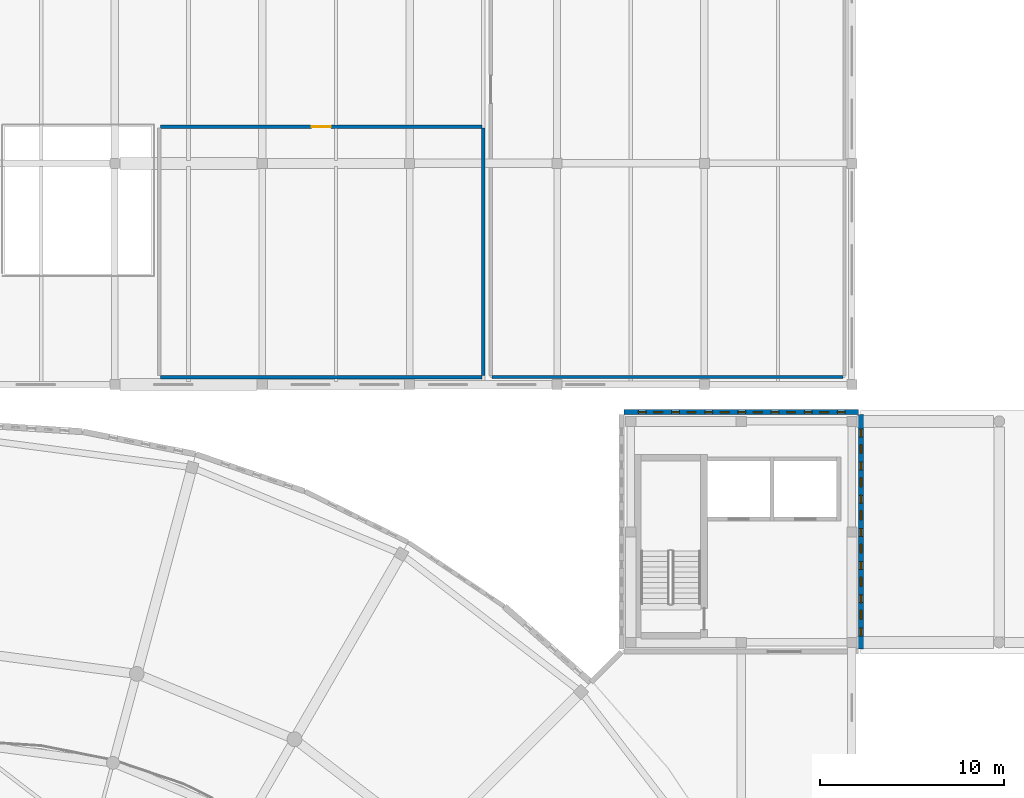
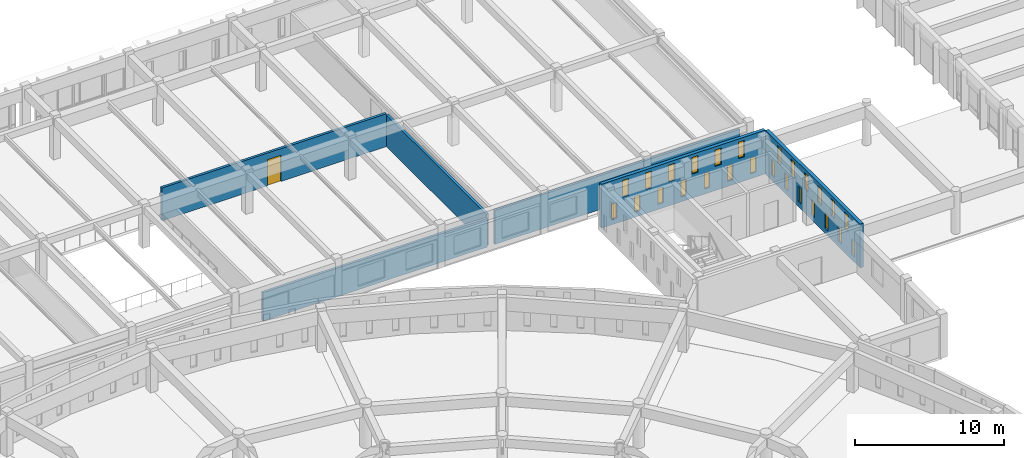
# One storey, part 121 of 155: 26 windows, 6 walls, 1 door, 27 openings.
"""IFC4 building model written with IfcOpenShell, lengths in metres."""

from ifc_helpers import new_model, si_unit, direction, frame, frame_2d, origin, place, context, subcontext, project, spatial, rectangle, extrude, material, layer, layer_set, type_object, element, fill, save


model = new_model("IFC4")

# Units and contexts
model_context = context("Model", 3, precision=1e-05, world=origin(), true_north=direction((0.0, 1.0)))
body_context = subcontext(model_context, "Body", "Model", "MODEL_VIEW")
ifc_project = project(units=[si_unit("LENGTHUNIT", "METRE"), si_unit("AREAUNIT", "SQUARE_METRE"), si_unit("VOLUMEUNIT", "CUBIC_METRE"), si_unit("PLANEANGLEUNIT", "RADIAN"), si_unit("MASSUNIT", "GRAM", prefix="KILO")], contexts=[model_context])

# Site, building, storey
site_placement = place(None, origin())
site = spatial("IfcSite", under=ifc_project, at=site_placement, CompositionType="ELEMENT")
building_placement = place(site_placement, origin())
building = spatial("IfcBuilding", under=site, at=building_placement, Name="Larkveld Mobility Hub", CompositionType="ELEMENT")
storey_placement = place(building_placement, frame((0.0, 0.0, 8.39990234375)))
storey = spatial("IfcBuildingStorey", under=building, at=storey_placement, Name="L02", CompositionType="ELEMENT", Elevation=8.39990234375)

# Wall, openings, windows
ifc_material_1 = material(Name="Fired clay brick 25 MPa", Category="masonry")
ifc_layer_1 = layer(ifc_material_1, 0.260009765625, Name="Fired clay brick 25 MPa", Category="masonry")
ifc_layer_set_1 = layer_set([ifc_layer_1], Name="Fired clay brick 25 MPa")
wall_type_1 = type_object("IfcWallType", Name="WL-BRK-260", PredefinedType="USERDEFINED", material=ifc_layer_set_1)
wall_1_placement = place(storey_placement, frame((96.360107421875, 96.5, 0.0), z_axis=(0.0, 0.0, 1.0), x_axis=(-1.0, 0.0, 0.0)))
wall_1 = element("IfcWall", 1, at=wall_1_placement, inside=storey, type_object=wall_type_1, Name="Square Brick Pavilion N Wall L02-0146", ObjectType="PERFORATED BRICK SCREEN", PredefinedType="USERDEFINED", context=body_context, shape_type="SweptSolid", body=[
    extrude(rectangle(XDim=12.72021484375, YDim=0.260009765625, at=frame_2d((6.360107421875, 0.0))), origin(), (0.0, 0.0, 1.0), 3.60009765625),
])
opening_1_placement = place(wall_1_placement, frame((0.719970703125, 0.0, 0.419921875)))
opening_1 = element("IfcOpeningElement", 2, at=opening_1_placement, cuts=wall_1, Name="Opening W01", PredefinedType="OPENING", context=body_context, shape_type="SweptSolid", body=[
    extrude(rectangle(XDim=0.419921875, YDim=1.280029296875, at=frame_2d((0.2099609375, 0.64013671875))), frame((0.0, 0.14013671875, 0.0), z_axis=(0.0, -1.0, 0.0), x_axis=(1.0, 0.0, 0.0)), (0.0, 0.0, 1.0), 0.280029296875),
])
opening_2_placement = place(wall_1_placement, frame((2.52001953125, 0.0, 0.419921875)))
opening_2 = element("IfcOpeningElement", 3, at=opening_2_placement, cuts=wall_1, Name="Opening W01", PredefinedType="OPENING", context=body_context, shape_type="SweptSolid", body=[
    extrude(rectangle(XDim=0.419921875, YDim=1.280029296875, at=frame_2d((0.2099609375, 0.64013671875))), frame((0.0, 0.14013671875, 0.0), z_axis=(0.0, -1.0, 0.0), x_axis=(1.0, 0.0, 0.0)), (0.0, 0.0, 1.0), 0.280029296875),
])
opening_3_placement = place(wall_1_placement, frame((4.320068359375, 0.0, 0.419921875)))
opening_3 = element("IfcOpeningElement", 4, at=opening_3_placement, cuts=wall_1, Name="Opening W01", PredefinedType="OPENING", context=body_context, shape_type="SweptSolid", body=[
    extrude(rectangle(XDim=0.419921875, YDim=1.280029296875, at=frame_2d((0.2099609375, 0.64013671875))), frame((0.0, 0.14013671875, 0.0), z_axis=(0.0, -1.0, 0.0), x_axis=(1.0, 0.0, 0.0)), (0.0, 0.0, 1.0), 0.280029296875),
])
opening_4_placement = place(wall_1_placement, frame((6.1201171875, 0.0, 0.419921875)))
opening_4 = element("IfcOpeningElement", 5, at=opening_4_placement, cuts=wall_1, Name="Opening W01", PredefinedType="OPENING", context=body_context, shape_type="SweptSolid", body=[
    extrude(rectangle(XDim=0.419921875, YDim=1.280029296875, at=frame_2d((0.2099609375, 0.64013671875))), frame((0.0, 0.14013671875, 0.0), z_axis=(0.0, -1.0, 0.0), x_axis=(1.0, 0.0, 0.0)), (0.0, 0.0, 1.0), 0.280029296875),
])
opening_5_placement = place(wall_1_placement, frame((7.919921875, 0.0, 0.419921875)))
opening_5 = element("IfcOpeningElement", 6, at=opening_5_placement, cuts=wall_1, Name="Opening W01", PredefinedType="OPENING", context=body_context, shape_type="SweptSolid", body=[
    extrude(rectangle(XDim=0.419921875, YDim=1.280029296875, at=frame_2d((0.2099609375, 0.64013671875))), frame((0.0, 0.14013671875, 0.0), z_axis=(0.0, -1.0, 0.0), x_axis=(1.0, 0.0, 0.0)), (0.0, 0.0, 1.0), 0.280029296875),
])
opening_6_placement = place(wall_1_placement, frame((9.719970703125, 0.0, 0.419921875)))
opening_6 = element("IfcOpeningElement", 7, at=opening_6_placement, cuts=wall_1, Name="Opening W01", PredefinedType="OPENING", context=body_context, shape_type="SweptSolid", body=[
    extrude(rectangle(XDim=0.419921875, YDim=1.280029296875, at=frame_2d((0.2099609375, 0.64013671875))), frame((0.0, 0.14013671875, 0.0), z_axis=(0.0, -1.0, 0.0), x_axis=(1.0, 0.0, 0.0)), (0.0, 0.0, 1.0), 0.280029296875),
])
opening_7_placement = place(wall_1_placement, frame((11.52001953125, 0.0, 0.419921875)))
opening_7 = element("IfcOpeningElement", 8, at=opening_7_placement, cuts=wall_1, Name="Opening W01", PredefinedType="OPENING", context=body_context, shape_type="SweptSolid", body=[
    extrude(rectangle(XDim=0.419921875, YDim=1.280029296875, at=frame_2d((0.2099609375, 0.64013671875))), frame((0.0, 0.14013671875, 0.0), z_axis=(0.0, -1.0, 0.0), x_axis=(1.0, 0.0, 0.0)), (0.0, 0.0, 1.0), 0.280029296875),
])
opening_8_placement = place(wall_1_placement, frame((1.6201171875, 0.0, 1.97998046875)))
opening_8 = element("IfcOpeningElement", 9, at=opening_8_placement, cuts=wall_1, Name="Opening W03", PredefinedType="OPENING", context=body_context, shape_type="SweptSolid", body=[
    extrude(rectangle(XDim=0.47998046875, YDim=1.360107421875, at=frame_2d((0.239990234375, 0.68017578125))), frame((0.0, 0.14013671875, 0.0), z_axis=(0.0, -1.0, 0.0), x_axis=(1.0, 0.0, 0.0)), (0.0, 0.0, 1.0), 0.280029296875),
])
opening_9_placement = place(wall_1_placement, frame((3.419921875, 0.0, 1.97998046875)))
opening_9 = element("IfcOpeningElement", 10, at=opening_9_placement, cuts=wall_1, Name="Opening W03", PredefinedType="OPENING", context=body_context, shape_type="SweptSolid", body=[
    extrude(rectangle(XDim=0.47998046875, YDim=1.360107421875, at=frame_2d((0.239990234375, 0.68017578125))), frame((0.0, 0.14013671875, 0.0), z_axis=(0.0, -1.0, 0.0), x_axis=(1.0, 0.0, 0.0)), (0.0, 0.0, 1.0), 0.280029296875),
])
opening_10_placement = place(wall_1_placement, frame((5.219970703125, 0.0, 1.97998046875)))
opening_10 = element("IfcOpeningElement", 11, at=opening_10_placement, cuts=wall_1, Name="Opening W03", PredefinedType="OPENING", context=body_context, shape_type="SweptSolid", body=[
    extrude(rectangle(XDim=0.47998046875, YDim=1.360107421875, at=frame_2d((0.239990234375, 0.68017578125))), frame((0.0, 0.14013671875, 0.0), z_axis=(0.0, -1.0, 0.0), x_axis=(1.0, 0.0, 0.0)), (0.0, 0.0, 1.0), 0.280029296875),
])
opening_11_placement = place(wall_1_placement, frame((7.02001953125, 0.0, 1.97998046875)))
opening_11 = element("IfcOpeningElement", 12, at=opening_11_placement, cuts=wall_1, Name="Opening W03", PredefinedType="OPENING", context=body_context, shape_type="SweptSolid", body=[
    extrude(rectangle(XDim=0.47998046875, YDim=1.360107421875, at=frame_2d((0.239990234375, 0.68017578125))), frame((0.0, 0.14013671875, 0.0), z_axis=(0.0, -1.0, 0.0), x_axis=(1.0, 0.0, 0.0)), (0.0, 0.0, 1.0), 0.280029296875),
])
opening_12_placement = place(wall_1_placement, frame((8.820068359375, 0.0, 1.97998046875)))
opening_12 = element("IfcOpeningElement", 13, at=opening_12_placement, cuts=wall_1, Name="Opening W03", PredefinedType="OPENING", context=body_context, shape_type="SweptSolid", body=[
    extrude(rectangle(XDim=0.47998046875, YDim=1.360107421875, at=frame_2d((0.239990234375, 0.68017578125))), frame((0.0, 0.14013671875, 0.0), z_axis=(0.0, -1.0, 0.0), x_axis=(1.0, 0.0, 0.0)), (0.0, 0.0, 1.0), 0.280029296875),
])
opening_13_placement = place(wall_1_placement, frame((10.6201171875, 0.0, 1.97998046875)))
opening_13 = element("IfcOpeningElement", 14, at=opening_13_placement, cuts=wall_1, Name="Opening W03", PredefinedType="OPENING", context=body_context, shape_type="SweptSolid", body=[
    extrude(rectangle(XDim=0.47998046875, YDim=1.360107421875, at=frame_2d((0.239990234375, 0.68017578125))), frame((0.0, 0.14013671875, 0.0), z_axis=(0.0, -1.0, 0.0), x_axis=(1.0, 0.0, 0.0)), (0.0, 0.0, 1.0), 0.280029296875),
])
ifc_material_2 = material(Name="Extruded aluminium ventilation grille", Category="aluminium")
window_type_1 = type_object("IfcWindowType", Name="WN-VENT-01", PartitioningType="SINGLE_PANEL", PredefinedType="WINDOW", material=ifc_material_2)
window_1_placement = place(opening_1_placement, origin())
window_1 = element("IfcWindow", 15, at=window_1_placement, inside=storey, type_object=window_type_1, Name="Window W01 (0743)", OverallHeight=1.280029296875, OverallWidth=0.419921875, PartitioningType="SINGLE_PANEL", PredefinedType="WINDOW", context=body_context, shape_type="SweptSolid", body=[
    extrude(rectangle(XDim=0.419921875, YDim=1.280029296875, at=frame_2d((0.2099609375, 0.64013671875))), frame((0.0, 0.030029296875, 0.0), z_axis=(0.0, -1.0, 0.0), x_axis=(1.0, 0.0, 0.0)), (0.0, 0.0, 1.0), 0.06005859375),
])
fill(opening_1, window_1)
window_2_placement = place(opening_2_placement, origin())
window_2 = element("IfcWindow", 16, at=window_2_placement, inside=storey, type_object=window_type_1, Name="Window W01 (0744)", OverallHeight=1.280029296875, OverallWidth=0.419921875, PartitioningType="SINGLE_PANEL", PredefinedType="WINDOW", context=body_context, shape_type="SweptSolid", body=[
    extrude(rectangle(XDim=0.419921875, YDim=1.280029296875, at=frame_2d((0.2099609375, 0.64013671875))), frame((0.0, 0.030029296875, 0.0), z_axis=(0.0, -1.0, 0.0), x_axis=(1.0, 0.0, 0.0)), (0.0, 0.0, 1.0), 0.06005859375),
])
fill(opening_2, window_2)
window_3_placement = place(opening_3_placement, origin())
window_3 = element("IfcWindow", 17, at=window_3_placement, inside=storey, type_object=window_type_1, Name="Window W01 (0745)", OverallHeight=1.280029296875, OverallWidth=0.419921875, PartitioningType="SINGLE_PANEL", PredefinedType="WINDOW", context=body_context, shape_type="SweptSolid", body=[
    extrude(rectangle(XDim=0.419921875, YDim=1.280029296875, at=frame_2d((0.2099609375, 0.64013671875))), frame((0.0, 0.030029296875, 0.0), z_axis=(0.0, -1.0, 0.0), x_axis=(1.0, 0.0, 0.0)), (0.0, 0.0, 1.0), 0.06005859375),
])
fill(opening_3, window_3)
window_4_placement = place(opening_4_placement, origin())
window_4 = element("IfcWindow", 18, at=window_4_placement, inside=storey, type_object=window_type_1, Name="Window W01 (0746)", OverallHeight=1.280029296875, OverallWidth=0.419921875, PartitioningType="SINGLE_PANEL", PredefinedType="WINDOW", context=body_context, shape_type="SweptSolid", body=[
    extrude(rectangle(XDim=0.419921875, YDim=1.280029296875, at=frame_2d((0.2099609375, 0.64013671875))), frame((0.0, 0.030029296875, 0.0), z_axis=(0.0, -1.0, 0.0), x_axis=(1.0, 0.0, 0.0)), (0.0, 0.0, 1.0), 0.06005859375),
])
fill(opening_4, window_4)
window_5_placement = place(opening_5_placement, origin())
window_5 = element("IfcWindow", 19, at=window_5_placement, inside=storey, type_object=window_type_1, Name="Window W01 (0747)", OverallHeight=1.280029296875, OverallWidth=0.419921875, PartitioningType="SINGLE_PANEL", PredefinedType="WINDOW", context=body_context, shape_type="SweptSolid", body=[
    extrude(rectangle(XDim=0.419921875, YDim=1.280029296875, at=frame_2d((0.2099609375, 0.64013671875))), frame((0.0, 0.030029296875, 0.0), z_axis=(0.0, -1.0, 0.0), x_axis=(1.0, 0.0, 0.0)), (0.0, 0.0, 1.0), 0.06005859375),
])
fill(opening_5, window_5)
window_6_placement = place(opening_6_placement, origin())
window_6 = element("IfcWindow", 20, at=window_6_placement, inside=storey, type_object=window_type_1, Name="Window W01 (0748)", OverallHeight=1.280029296875, OverallWidth=0.419921875, PartitioningType="SINGLE_PANEL", PredefinedType="WINDOW", context=body_context, shape_type="SweptSolid", body=[
    extrude(rectangle(XDim=0.419921875, YDim=1.280029296875, at=frame_2d((0.2099609375, 0.64013671875))), frame((0.0, 0.030029296875, 0.0), z_axis=(0.0, -1.0, 0.0), x_axis=(1.0, 0.0, 0.0)), (0.0, 0.0, 1.0), 0.06005859375),
])
fill(opening_6, window_6)
window_7_placement = place(opening_7_placement, origin())
window_7 = element("IfcWindow", 21, at=window_7_placement, inside=storey, type_object=window_type_1, Name="Window W01 (0749)", OverallHeight=1.280029296875, OverallWidth=0.419921875, PartitioningType="SINGLE_PANEL", PredefinedType="WINDOW", context=body_context, shape_type="SweptSolid", body=[
    extrude(rectangle(XDim=0.419921875, YDim=1.280029296875, at=frame_2d((0.2099609375, 0.64013671875))), frame((0.0, 0.030029296875, 0.0), z_axis=(0.0, -1.0, 0.0), x_axis=(1.0, 0.0, 0.0)), (0.0, 0.0, 1.0), 0.06005859375),
])
fill(opening_7, window_7)
window_type_2 = type_object("IfcWindowType", Name="WN-VENT-03", PartitioningType="SINGLE_PANEL", PredefinedType="WINDOW", material=ifc_material_2)
window_8_placement = place(opening_8_placement, origin())
window_8 = element("IfcWindow", 22, at=window_8_placement, inside=storey, type_object=window_type_2, Name="Window W03 (0750)", OverallHeight=1.360107421875, OverallWidth=0.47998046875, PartitioningType="SINGLE_PANEL", PredefinedType="WINDOW", context=body_context, shape_type="SweptSolid", body=[
    extrude(rectangle(XDim=0.47998046875, YDim=1.360107421875, at=frame_2d((0.239990234375, 0.68017578125))), frame((0.0, 0.030029296875, 0.0), z_axis=(0.0, -1.0, 0.0), x_axis=(1.0, 0.0, 0.0)), (0.0, 0.0, 1.0), 0.06005859375),
])
fill(opening_8, window_8)
window_9_placement = place(opening_9_placement, origin())
window_9 = element("IfcWindow", 23, at=window_9_placement, inside=storey, type_object=window_type_2, Name="Window W03 (0751)", OverallHeight=1.360107421875, OverallWidth=0.47998046875, PartitioningType="SINGLE_PANEL", PredefinedType="WINDOW", context=body_context, shape_type="SweptSolid", body=[
    extrude(rectangle(XDim=0.47998046875, YDim=1.360107421875, at=frame_2d((0.239990234375, 0.68017578125))), frame((0.0, 0.030029296875, 0.0), z_axis=(0.0, -1.0, 0.0), x_axis=(1.0, 0.0, 0.0)), (0.0, 0.0, 1.0), 0.06005859375),
])
fill(opening_9, window_9)
window_10_placement = place(opening_10_placement, origin())
window_10 = element("IfcWindow", 24, at=window_10_placement, inside=storey, type_object=window_type_2, Name="Window W03 (0752)", OverallHeight=1.360107421875, OverallWidth=0.47998046875, PartitioningType="SINGLE_PANEL", PredefinedType="WINDOW", context=body_context, shape_type="SweptSolid", body=[
    extrude(rectangle(XDim=0.47998046875, YDim=1.360107421875, at=frame_2d((0.239990234375, 0.68017578125))), frame((0.0, 0.030029296875, 0.0), z_axis=(0.0, -1.0, 0.0), x_axis=(1.0, 0.0, 0.0)), (0.0, 0.0, 1.0), 0.06005859375),
])
fill(opening_10, window_10)
window_11_placement = place(opening_11_placement, origin())
window_11 = element("IfcWindow", 25, at=window_11_placement, inside=storey, type_object=window_type_2, Name="Window W03 (0753)", OverallHeight=1.360107421875, OverallWidth=0.47998046875, PartitioningType="SINGLE_PANEL", PredefinedType="WINDOW", context=body_context, shape_type="SweptSolid", body=[
    extrude(rectangle(XDim=0.47998046875, YDim=1.360107421875, at=frame_2d((0.239990234375, 0.68017578125))), frame((0.0, 0.030029296875, 0.0), z_axis=(0.0, -1.0, 0.0), x_axis=(1.0, 0.0, 0.0)), (0.0, 0.0, 1.0), 0.06005859375),
])
fill(opening_11, window_11)
window_12_placement = place(opening_12_placement, origin())
window_12 = element("IfcWindow", 26, at=window_12_placement, inside=storey, type_object=window_type_2, Name="Window W03 (0754)", OverallHeight=1.360107421875, OverallWidth=0.47998046875, PartitioningType="SINGLE_PANEL", PredefinedType="WINDOW", context=body_context, shape_type="SweptSolid", body=[
    extrude(rectangle(XDim=0.47998046875, YDim=1.360107421875, at=frame_2d((0.239990234375, 0.68017578125))), frame((0.0, 0.030029296875, 0.0), z_axis=(0.0, -1.0, 0.0), x_axis=(1.0, 0.0, 0.0)), (0.0, 0.0, 1.0), 0.06005859375),
])
fill(opening_12, window_12)
window_13_placement = place(opening_13_placement, origin())
window_13 = element("IfcWindow", 27, at=window_13_placement, inside=storey, type_object=window_type_2, Name="Window W03 (0755)", OverallHeight=1.360107421875, OverallWidth=0.47998046875, PartitioningType="SINGLE_PANEL", PredefinedType="WINDOW", context=body_context, shape_type="SweptSolid", body=[
    extrude(rectangle(XDim=0.47998046875, YDim=1.360107421875, at=frame_2d((0.239990234375, 0.68017578125))), frame((0.0, 0.030029296875, 0.0), z_axis=(0.0, -1.0, 0.0), x_axis=(1.0, 0.0, 0.0)), (0.0, 0.0, 1.0), 0.06005859375),
])
fill(opening_13, window_13)

wall_2_placement = place(storey_placement, frame((96.5, 83.639892578125, 0.0), z_axis=(0.0, 0.0, 1.0), x_axis=(0.0, 1.0, 0.0)))
wall_2 = element("IfcWall", 28, at=wall_2_placement, inside=storey, type_object=wall_type_1, Name="Square Brick Pavilion E Wall L02-0149", ObjectType="PERFORATED BRICK SCREEN", PredefinedType="USERDEFINED", context=body_context, shape_type="SweptSolid", body=[
    extrude(rectangle(XDim=12.72021484375, YDim=0.260009765625, at=frame_2d((6.360107421875, 0.0))), origin(), (0.0, 0.0, 1.0), 3.60009765625),
])
opening_14_placement = place(wall_2_placement, frame((0.719970703125, 0.0, 0.419921875)))
opening_14 = element("IfcOpeningElement", 29, at=opening_14_placement, cuts=wall_2, Name="Opening W01", PredefinedType="OPENING", context=body_context, shape_type="SweptSolid", body=[
    extrude(rectangle(XDim=0.419921875, YDim=1.280029296875, at=frame_2d((0.2099609375, 0.64013671875))), frame((0.0, 0.14013671875, 0.0), z_axis=(0.0, -1.0, 0.0), x_axis=(1.0, 0.0, 0.0)), (0.0, 0.0, 1.0), 0.280029296875),
])
opening_15_placement = place(wall_2_placement, frame((2.52001953125, 0.0, 0.419921875)))
opening_15 = element("IfcOpeningElement", 30, at=opening_15_placement, cuts=wall_2, Name="Opening W01", PredefinedType="OPENING", context=body_context, shape_type="SweptSolid", body=[
    extrude(rectangle(XDim=0.419921875, YDim=1.280029296875, at=frame_2d((0.2099609375, 0.64013671875))), frame((0.0, 0.14013671875, 0.0), z_axis=(0.0, -1.0, 0.0), x_axis=(1.0, 0.0, 0.0)), (0.0, 0.0, 1.0), 0.280029296875),
])
opening_16_placement = place(wall_2_placement, frame((4.320068359375, 0.0, 0.419921875)))
opening_16 = element("IfcOpeningElement", 31, at=opening_16_placement, cuts=wall_2, Name="Opening W01", PredefinedType="OPENING", context=body_context, shape_type="SweptSolid", body=[
    extrude(rectangle(XDim=0.419921875, YDim=1.280029296875, at=frame_2d((0.2099609375, 0.64013671875))), frame((0.0, 0.14013671875, 0.0), z_axis=(0.0, -1.0, 0.0), x_axis=(1.0, 0.0, 0.0)), (0.0, 0.0, 1.0), 0.280029296875),
])
opening_17_placement = place(wall_2_placement, frame((6.1201171875, 0.0, 0.419921875)))
opening_17 = element("IfcOpeningElement", 32, at=opening_17_placement, cuts=wall_2, Name="Opening W01", PredefinedType="OPENING", context=body_context, shape_type="SweptSolid", body=[
    extrude(rectangle(XDim=0.419921875, YDim=1.280029296875, at=frame_2d((0.2099609375, 0.64013671875))), frame((0.0, 0.14013671875, 0.0), z_axis=(0.0, -1.0, 0.0), x_axis=(1.0, 0.0, 0.0)), (0.0, 0.0, 1.0), 0.280029296875),
])
opening_18_placement = place(wall_2_placement, frame((7.919921875, 0.0, 0.419921875)))
opening_18 = element("IfcOpeningElement", 33, at=opening_18_placement, cuts=wall_2, Name="Opening W01", PredefinedType="OPENING", context=body_context, shape_type="SweptSolid", body=[
    extrude(rectangle(XDim=0.419921875, YDim=1.280029296875, at=frame_2d((0.2099609375, 0.64013671875))), frame((0.0, 0.14013671875, 0.0), z_axis=(0.0, -1.0, 0.0), x_axis=(1.0, 0.0, 0.0)), (0.0, 0.0, 1.0), 0.280029296875),
])
opening_19_placement = place(wall_2_placement, frame((9.719970703125, 0.0, 0.419921875)))
opening_19 = element("IfcOpeningElement", 34, at=opening_19_placement, cuts=wall_2, Name="Opening W01", PredefinedType="OPENING", context=body_context, shape_type="SweptSolid", body=[
    extrude(rectangle(XDim=0.419921875, YDim=1.280029296875, at=frame_2d((0.2099609375, 0.64013671875))), frame((0.0, 0.14013671875, 0.0), z_axis=(0.0, -1.0, 0.0), x_axis=(1.0, 0.0, 0.0)), (0.0, 0.0, 1.0), 0.280029296875),
])
opening_20_placement = place(wall_2_placement, frame((11.52001953125, 0.0, 0.419921875)))
opening_20 = element("IfcOpeningElement", 35, at=opening_20_placement, cuts=wall_2, Name="Opening W01", PredefinedType="OPENING", context=body_context, shape_type="SweptSolid", body=[
    extrude(rectangle(XDim=0.419921875, YDim=1.280029296875, at=frame_2d((0.2099609375, 0.64013671875))), frame((0.0, 0.14013671875, 0.0), z_axis=(0.0, -1.0, 0.0), x_axis=(1.0, 0.0, 0.0)), (0.0, 0.0, 1.0), 0.280029296875),
])
opening_21_placement = place(wall_2_placement, frame((1.6201171875, 0.0, 1.97998046875)))
opening_21 = element("IfcOpeningElement", 36, at=opening_21_placement, cuts=wall_2, Name="Opening W03", PredefinedType="OPENING", context=body_context, shape_type="SweptSolid", body=[
    extrude(rectangle(XDim=0.47998046875, YDim=1.360107421875, at=frame_2d((0.239990234375, 0.68017578125))), frame((0.0, 0.14013671875, 0.0), z_axis=(0.0, -1.0, 0.0), x_axis=(1.0, 0.0, 0.0)), (0.0, 0.0, 1.0), 0.280029296875),
])
opening_22_placement = place(wall_2_placement, frame((3.419921875, 0.0, 1.97998046875)))
opening_22 = element("IfcOpeningElement", 37, at=opening_22_placement, cuts=wall_2, Name="Opening W03", PredefinedType="OPENING", context=body_context, shape_type="SweptSolid", body=[
    extrude(rectangle(XDim=0.47998046875, YDim=1.360107421875, at=frame_2d((0.239990234375, 0.68017578125))), frame((0.0, 0.14013671875, 0.0), z_axis=(0.0, -1.0, 0.0), x_axis=(1.0, 0.0, 0.0)), (0.0, 0.0, 1.0), 0.280029296875),
])
opening_23_placement = place(wall_2_placement, frame((5.219970703125, 0.0, 1.97998046875)))
opening_23 = element("IfcOpeningElement", 38, at=opening_23_placement, cuts=wall_2, Name="Opening W03", PredefinedType="OPENING", context=body_context, shape_type="SweptSolid", body=[
    extrude(rectangle(XDim=0.47998046875, YDim=1.360107421875, at=frame_2d((0.239990234375, 0.68017578125))), frame((0.0, 0.14013671875, 0.0), z_axis=(0.0, -1.0, 0.0), x_axis=(1.0, 0.0, 0.0)), (0.0, 0.0, 1.0), 0.280029296875),
])
opening_24_placement = place(wall_2_placement, frame((7.02001953125, 0.0, 1.97998046875)))
opening_24 = element("IfcOpeningElement", 39, at=opening_24_placement, cuts=wall_2, Name="Opening W03", PredefinedType="OPENING", context=body_context, shape_type="SweptSolid", body=[
    extrude(rectangle(XDim=0.47998046875, YDim=1.360107421875, at=frame_2d((0.239990234375, 0.68017578125))), frame((0.0, 0.14013671875, 0.0), z_axis=(0.0, -1.0, 0.0), x_axis=(1.0, 0.0, 0.0)), (0.0, 0.0, 1.0), 0.280029296875),
])
opening_25_placement = place(wall_2_placement, frame((8.820068359375, 0.0, 1.97998046875)))
opening_25 = element("IfcOpeningElement", 40, at=opening_25_placement, cuts=wall_2, Name="Opening W03", PredefinedType="OPENING", context=body_context, shape_type="SweptSolid", body=[
    extrude(rectangle(XDim=0.47998046875, YDim=1.360107421875, at=frame_2d((0.239990234375, 0.68017578125))), frame((0.0, 0.14013671875, 0.0), z_axis=(0.0, -1.0, 0.0), x_axis=(1.0, 0.0, 0.0)), (0.0, 0.0, 1.0), 0.280029296875),
])
opening_26_placement = place(wall_2_placement, frame((10.6201171875, 0.0, 1.97998046875)))
opening_26 = element("IfcOpeningElement", 41, at=opening_26_placement, cuts=wall_2, Name="Opening W03", PredefinedType="OPENING", context=body_context, shape_type="SweptSolid", body=[
    extrude(rectangle(XDim=0.47998046875, YDim=1.360107421875, at=frame_2d((0.239990234375, 0.68017578125))), frame((0.0, 0.14013671875, 0.0), z_axis=(0.0, -1.0, 0.0), x_axis=(1.0, 0.0, 0.0)), (0.0, 0.0, 1.0), 0.280029296875),
])
window_14_placement = place(opening_14_placement, origin())
window_14 = element("IfcWindow", 42, at=window_14_placement, inside=storey, type_object=window_type_1, Name="Window W01 (0769)", OverallHeight=1.280029296875, OverallWidth=0.419921875, PartitioningType="SINGLE_PANEL", PredefinedType="WINDOW", context=body_context, shape_type="SweptSolid", body=[
    extrude(rectangle(XDim=0.419921875, YDim=1.280029296875, at=frame_2d((0.2099609375, 0.64013671875))), frame((0.0, 0.030029296875, 0.0), z_axis=(0.0, -1.0, 0.0), x_axis=(1.0, 0.0, 0.0)), (0.0, 0.0, 1.0), 0.06005859375),
])
fill(opening_14, window_14)
window_15_placement = place(opening_15_placement, origin())
window_15 = element("IfcWindow", 43, at=window_15_placement, inside=storey, type_object=window_type_1, Name="Window W01 (0770)", OverallHeight=1.280029296875, OverallWidth=0.419921875, PartitioningType="SINGLE_PANEL", PredefinedType="WINDOW", context=body_context, shape_type="SweptSolid", body=[
    extrude(rectangle(XDim=0.419921875, YDim=1.280029296875, at=frame_2d((0.2099609375, 0.64013671875))), frame((0.0, 0.030029296875, 0.0), z_axis=(0.0, -1.0, 0.0), x_axis=(1.0, 0.0, 0.0)), (0.0, 0.0, 1.0), 0.06005859375),
])
fill(opening_15, window_15)
window_16_placement = place(opening_16_placement, origin())
window_16 = element("IfcWindow", 44, at=window_16_placement, inside=storey, type_object=window_type_1, Name="Window W01 (0771)", OverallHeight=1.280029296875, OverallWidth=0.419921875, PartitioningType="SINGLE_PANEL", PredefinedType="WINDOW", context=body_context, shape_type="SweptSolid", body=[
    extrude(rectangle(XDim=0.419921875, YDim=1.280029296875, at=frame_2d((0.2099609375, 0.64013671875))), frame((0.0, 0.030029296875, 0.0), z_axis=(0.0, -1.0, 0.0), x_axis=(1.0, 0.0, 0.0)), (0.0, 0.0, 1.0), 0.06005859375),
])
fill(opening_16, window_16)
window_17_placement = place(opening_17_placement, origin())
window_17 = element("IfcWindow", 45, at=window_17_placement, inside=storey, type_object=window_type_1, Name="Window W01 (0772)", OverallHeight=1.280029296875, OverallWidth=0.419921875, PartitioningType="SINGLE_PANEL", PredefinedType="WINDOW", context=body_context, shape_type="SweptSolid", body=[
    extrude(rectangle(XDim=0.419921875, YDim=1.280029296875, at=frame_2d((0.2099609375, 0.64013671875))), frame((0.0, 0.030029296875, 0.0), z_axis=(0.0, -1.0, 0.0), x_axis=(1.0, 0.0, 0.0)), (0.0, 0.0, 1.0), 0.06005859375),
])
fill(opening_17, window_17)
window_18_placement = place(opening_18_placement, origin())
window_18 = element("IfcWindow", 46, at=window_18_placement, inside=storey, type_object=window_type_1, Name="Window W01 (0773)", OverallHeight=1.280029296875, OverallWidth=0.419921875, PartitioningType="SINGLE_PANEL", PredefinedType="WINDOW", context=body_context, shape_type="SweptSolid", body=[
    extrude(rectangle(XDim=0.419921875, YDim=1.280029296875, at=frame_2d((0.2099609375, 0.64013671875))), frame((0.0, 0.030029296875, 0.0), z_axis=(0.0, -1.0, 0.0), x_axis=(1.0, 0.0, 0.0)), (0.0, 0.0, 1.0), 0.06005859375),
])
fill(opening_18, window_18)
window_19_placement = place(opening_19_placement, origin())
window_19 = element("IfcWindow", 47, at=window_19_placement, inside=storey, type_object=window_type_1, Name="Window W01 (0774)", OverallHeight=1.280029296875, OverallWidth=0.419921875, PartitioningType="SINGLE_PANEL", PredefinedType="WINDOW", context=body_context, shape_type="SweptSolid", body=[
    extrude(rectangle(XDim=0.419921875, YDim=1.280029296875, at=frame_2d((0.2099609375, 0.64013671875))), frame((0.0, 0.030029296875, 0.0), z_axis=(0.0, -1.0, 0.0), x_axis=(1.0, 0.0, 0.0)), (0.0, 0.0, 1.0), 0.06005859375),
])
fill(opening_19, window_19)
window_20_placement = place(opening_20_placement, origin())
window_20 = element("IfcWindow", 48, at=window_20_placement, inside=storey, type_object=window_type_1, Name="Window W01 (0775)", OverallHeight=1.280029296875, OverallWidth=0.419921875, PartitioningType="SINGLE_PANEL", PredefinedType="WINDOW", context=body_context, shape_type="SweptSolid", body=[
    extrude(rectangle(XDim=0.419921875, YDim=1.280029296875, at=frame_2d((0.2099609375, 0.64013671875))), frame((0.0, 0.030029296875, 0.0), z_axis=(0.0, -1.0, 0.0), x_axis=(1.0, 0.0, 0.0)), (0.0, 0.0, 1.0), 0.06005859375),
])
fill(opening_20, window_20)
window_21_placement = place(opening_21_placement, origin())
window_21 = element("IfcWindow", 49, at=window_21_placement, inside=storey, type_object=window_type_2, Name="Window W03 (0776)", OverallHeight=1.360107421875, OverallWidth=0.47998046875, PartitioningType="SINGLE_PANEL", PredefinedType="WINDOW", context=body_context, shape_type="SweptSolid", body=[
    extrude(rectangle(XDim=0.47998046875, YDim=1.360107421875, at=frame_2d((0.239990234375, 0.68017578125))), frame((0.0, 0.030029296875, 0.0), z_axis=(0.0, -1.0, 0.0), x_axis=(1.0, 0.0, 0.0)), (0.0, 0.0, 1.0), 0.06005859375),
])
fill(opening_21, window_21)
window_22_placement = place(opening_22_placement, origin())
window_22 = element("IfcWindow", 50, at=window_22_placement, inside=storey, type_object=window_type_2, Name="Window W03 (0777)", OverallHeight=1.360107421875, OverallWidth=0.47998046875, PartitioningType="SINGLE_PANEL", PredefinedType="WINDOW", context=body_context, shape_type="SweptSolid", body=[
    extrude(rectangle(XDim=0.47998046875, YDim=1.360107421875, at=frame_2d((0.239990234375, 0.68017578125))), frame((0.0, 0.030029296875, 0.0), z_axis=(0.0, -1.0, 0.0), x_axis=(1.0, 0.0, 0.0)), (0.0, 0.0, 1.0), 0.06005859375),
])
fill(opening_22, window_22)
window_23_placement = place(opening_23_placement, origin())
window_23 = element("IfcWindow", 51, at=window_23_placement, inside=storey, type_object=window_type_2, Name="Window W03 (0778)", OverallHeight=1.360107421875, OverallWidth=0.47998046875, PartitioningType="SINGLE_PANEL", PredefinedType="WINDOW", context=body_context, shape_type="SweptSolid", body=[
    extrude(rectangle(XDim=0.47998046875, YDim=1.360107421875, at=frame_2d((0.239990234375, 0.68017578125))), frame((0.0, 0.030029296875, 0.0), z_axis=(0.0, -1.0, 0.0), x_axis=(1.0, 0.0, 0.0)), (0.0, 0.0, 1.0), 0.06005859375),
])
fill(opening_23, window_23)
window_24_placement = place(opening_24_placement, origin())
window_24 = element("IfcWindow", 52, at=window_24_placement, inside=storey, type_object=window_type_2, Name="Window W03 (0779)", OverallHeight=1.360107421875, OverallWidth=0.47998046875, PartitioningType="SINGLE_PANEL", PredefinedType="WINDOW", context=body_context, shape_type="SweptSolid", body=[
    extrude(rectangle(XDim=0.47998046875, YDim=1.360107421875, at=frame_2d((0.239990234375, 0.68017578125))), frame((0.0, 0.030029296875, 0.0), z_axis=(0.0, -1.0, 0.0), x_axis=(1.0, 0.0, 0.0)), (0.0, 0.0, 1.0), 0.06005859375),
])
fill(opening_24, window_24)
window_25_placement = place(opening_25_placement, origin())
window_25 = element("IfcWindow", 53, at=window_25_placement, inside=storey, type_object=window_type_2, Name="Window W03 (0780)", OverallHeight=1.360107421875, OverallWidth=0.47998046875, PartitioningType="SINGLE_PANEL", PredefinedType="WINDOW", context=body_context, shape_type="SweptSolid", body=[
    extrude(rectangle(XDim=0.47998046875, YDim=1.360107421875, at=frame_2d((0.239990234375, 0.68017578125))), frame((0.0, 0.030029296875, 0.0), z_axis=(0.0, -1.0, 0.0), x_axis=(1.0, 0.0, 0.0)), (0.0, 0.0, 1.0), 0.06005859375),
])
fill(opening_25, window_25)
window_26_placement = place(opening_26_placement, origin())
window_26 = element("IfcWindow", 54, at=window_26_placement, inside=storey, type_object=window_type_2, Name="Window W03 (0781)", OverallHeight=1.360107421875, OverallWidth=0.47998046875, PartitioningType="SINGLE_PANEL", PredefinedType="WINDOW", context=body_context, shape_type="SweptSolid", body=[
    extrude(rectangle(XDim=0.47998046875, YDim=1.360107421875, at=frame_2d((0.239990234375, 0.68017578125))), frame((0.0, 0.030029296875, 0.0), z_axis=(0.0, -1.0, 0.0), x_axis=(1.0, 0.0, 0.0)), (0.0, 0.0, 1.0), 0.06005859375),
])
fill(opening_26, window_26)

# Walls
ifc_material_3 = material(Name="Concrete blockwork masonry 14 MPa", Category="masonry")
ifc_layer_2 = layer(ifc_material_3, 0.175048828125, Name="Concrete blockwork masonry 14 MPa", Category="masonry")
ifc_layer_set_2 = layer_set([ifc_layer_2], Name="Concrete blockwork masonry 14 MPa")
wall_type_2 = type_object("IfcWallType", Name="WL-PRT-175", PredefinedType="PARTITIONING", material=ifc_layer_set_2)
wall_3_placement = place(storey_placement, frame((76.47998046875, 98.39990234375, 0.0), z_axis=(0.0, 0.0, 1.0), x_axis=(1.0, 0.0, 0.0)))
element("IfcWall", 55, at=wall_3_placement, inside=storey, type_object=wall_type_2, Name="Bicycle Terrace Cafe and Repair Bar Partition 0139", PredefinedType="PARTITIONING", context=body_context, shape_type="SweptSolid", body=[
    extrude(rectangle(XDim=19.037109375, YDim=0.175048828125, at=frame_2d((9.5185546875, 0.0))), origin(), (0.0, 0.0, 1.0), 2.795166015625),
])
ifc_layer_3 = layer(ifc_material_3, 0.195068359375, Name="Concrete blockwork masonry 14 MPa", Category="masonry")
ifc_layer_set_3 = layer_set([ifc_layer_3], Name="Concrete blockwork masonry 14 MPa")
wall_type_3 = type_object("IfcWallType", Name="WL-PRT-195", PredefinedType="PARTITIONING", material=ifc_layer_set_3)
wall_4_placement = place(storey_placement, frame((58.47998046875, 98.39990234375, 0.0), z_axis=(0.0, 0.0, 1.0), x_axis=(1.0, 0.0, 0.0)))
element("IfcWall", 56, at=wall_4_placement, inside=storey, type_object=wall_type_3, Name="UL-Rated E-Bike Battery Charging Vault Partition 0135", PredefinedType="PARTITIONING", context=body_context, shape_type="SweptSolid", body=[
    extrude(rectangle(XDim=17.43505859375, YDim=0.195068359375, at=frame_2d((8.717529296875, 0.0))), origin(), (0.0, 0.0, 1.0), 2.34521484375),
])

# Wall, opening, door
wall_5_placement = place(storey_placement, frame((58.47998046875, 111.9951171875, 0.0), z_axis=(0.0, 0.0, 1.0), x_axis=(1.0, 0.0, 0.0)))
wall_5 = element("IfcWall", 57, at=wall_5_placement, inside=storey, type_object=wall_type_3, Name="UL-Rated E-Bike Battery Charging Vault Partition 0136", PredefinedType="PARTITIONING", context=body_context, shape_type="SweptSolid", body=[
    extrude(rectangle(XDim=17.43505859375, YDim=0.195068359375, at=frame_2d((8.717529296875, 0.0))), origin(), (0.0, 0.0, 1.0), 2.695068359375),
])
opening_27_placement = place(wall_5_placement, frame((8.193115234375, 0.0, 0.0)))
opening_27 = element("IfcOpeningElement", 58, at=opening_27_placement, cuts=wall_5, Name="Opening DF02", PredefinedType="OPENING", context=body_context, shape_type="SweptSolid", body=[
    extrude(rectangle(XDim=1.050048828125, YDim=2.14990234375, at=frame_2d((0.52490234375, 1.074951171875))), frame((0.0, 0.107421875, 0.0), z_axis=(0.0, -1.0, 0.0), x_axis=(1.0, 0.0, 0.0)), (0.0, 0.0, 1.0), 0.215087890625),
])
ifc_material_4 = material(Name="Pressed Steel S355JR fire door assembly", Category="steel")
door_type = type_object("IfcDoorType", Name="DR-FD60", OperationType="NOTDEFINED", PredefinedType="DOOR", material=ifc_material_4)
door_placement = place(opening_27_placement, origin())
door = element("IfcDoor", 59, at=door_placement, inside=storey, type_object=door_type, Name="UL-Rated E-Bike Battery Charging Vault Door 0035", OperationType="SINGLE_SWING_RIGHT", OverallHeight=2.14990234375, OverallWidth=1.050048828125, PredefinedType="DOOR", context=body_context, shape_type="SweptSolid", body=[
    extrude(rectangle(XDim=1.050048828125, YDim=2.14990234375, at=frame_2d((0.52490234375, 1.074951171875))), frame((0.0, 0.02490234375, 0.0), z_axis=(0.0, -1.0, 0.0), x_axis=(1.0, 0.0, 0.0)), (0.0, 0.0, 1.0), 0.050048828125),
])
fill(opening_27, door)

# Wall
wall_6_placement = place(storey_placement, frame((75.9951171875, 98.47998046875, 0.0), z_axis=(0.0, 0.0, 1.0), x_axis=(0.0, 1.0, 0.0)))
element("IfcWall", 60, at=wall_6_placement, inside=storey, type_object=wall_type_3, Name="UL-Rated E-Bike Battery Charging Vault Partition 0138", PredefinedType="PARTITIONING", context=body_context, shape_type="SweptSolid", body=[
    extrude(rectangle(XDim=13.43505859375, YDim=0.195068359375, at=frame_2d((6.717529296875, 0.0))), origin(), (0.0, 0.0, 1.0), 2.59521484375),
])

save(model, "model.ifc")
